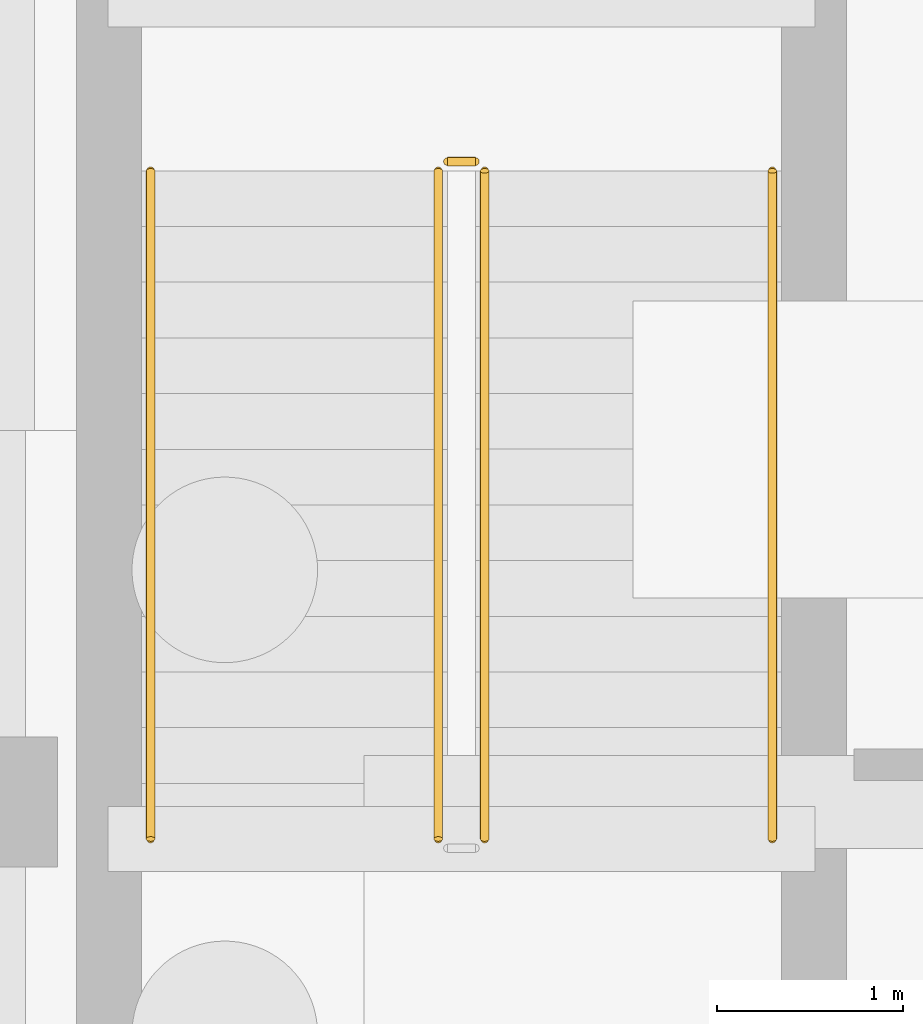
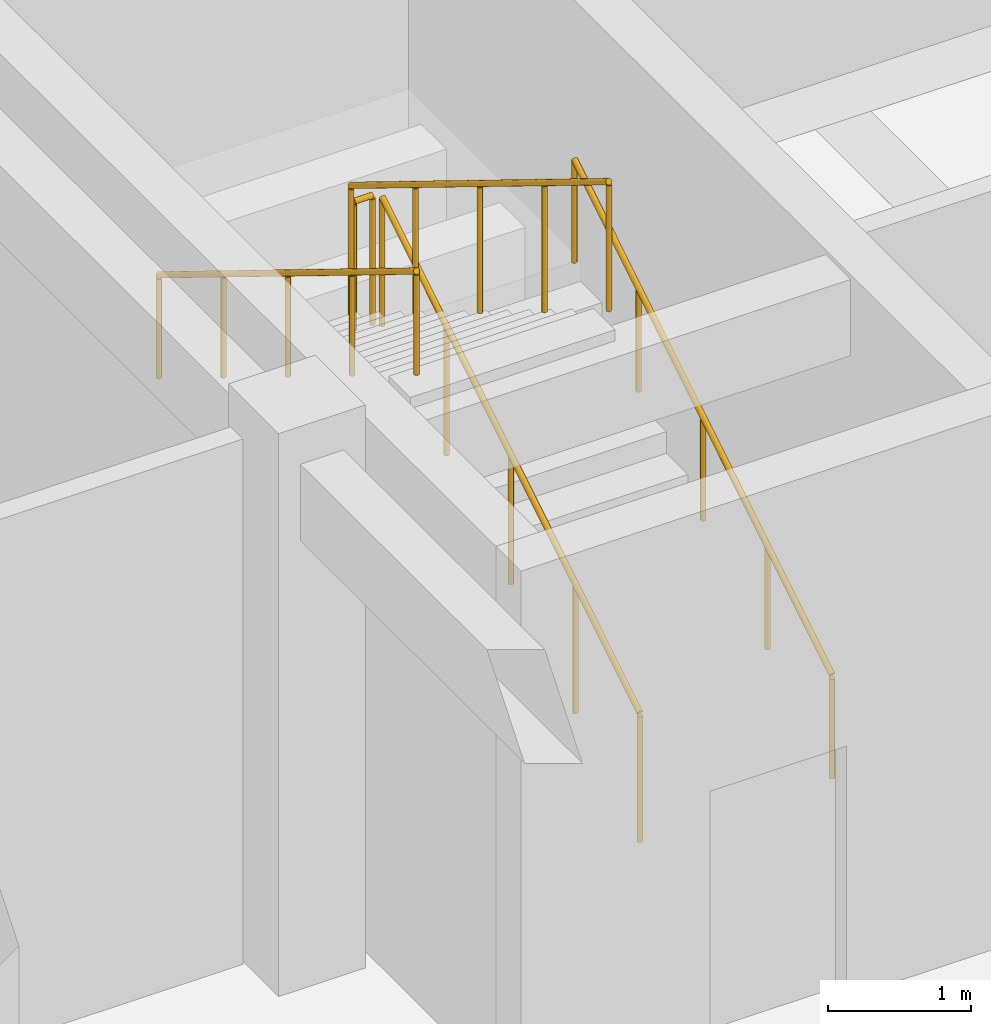
# One storey, part 43 of 46: 5 railings.
"""IFC4 building model written with IfcOpenShell, lengths in metres."""

from ifc_helpers import new_model, si_unit, direction, frame, origin, origin_2d, place, context, subcontext, project, spatial, circle, extrude, material, material_profile, profile_set, type_object, element, save


model = new_model("IFC4")

# Units and contexts
model_context = context("Model", 3, precision=1e-05, world=origin(), true_north=direction((0.0, 1.0)))
body_context = subcontext(model_context, "Body", "Model", "MODEL_VIEW")
ifc_project = project(units=[si_unit("LENGTHUNIT", "METRE"), si_unit("AREAUNIT", "SQUARE_METRE"), si_unit("VOLUMEUNIT", "CUBIC_METRE"), si_unit("PLANEANGLEUNIT", "RADIAN"), si_unit("MASSUNIT", "GRAM", prefix="KILO")], contexts=[model_context])

# Site, building, storey
site_placement = place(None, origin())
site = spatial("IfcSite", under=ifc_project, at=site_placement, CompositionType="ELEMENT")
building_placement = place(site_placement, origin())
building = spatial("IfcBuilding", under=site, at=building_placement, Name="Tazoul Stagehouse", CompositionType="ELEMENT")
storey_placement = place(building_placement, frame((0.0, 0.0, -4.800048828125)))
storey = spatial("IfcBuildingStorey", under=building, at=storey_placement, Name="B1", CompositionType="ELEMENT", Elevation=-4.800048828125)

# Railings
ifc_material = material(Name="Brushed Stainless Steel 316L", Category="steel")
ifc_material_profile_1 = material_profile(ifc_material, circle(Radius=0.02392578125, at=origin_2d()), Name="SS RAIL D48")
ifc_profile_set_1 = profile_set([ifc_material_profile_1], Name="Brushed Stainless Steel 316L")
railing_type_1 = type_object("IfcRailingType", Name="Architectural Guardrail H1120", PredefinedType="GUARDRAIL", material=ifc_profile_set_1)
railing_1_placement = place(storey_placement, frame((128.050048828125, 103.800048828125, 0.1845703125)))
element("IfcRailing", 1, at=railing_1_placement, inside=storey, type_object=railing_type_1, Name="B1 ST-B2 stair guard 1", PredefinedType="GUARDRAIL", context=body_context, shape_type="SweptSolid", body=[
    extrude(circle(Radius=0.02392578125, at=origin_2d()), frame((0.0, 0.0, 1.09619140625), z_axis=(0.0, 0.851628569182, 0.524145762315), x_axis=(-1.0, 0.0, 0.0)), (0.0, 0.0, 1.0), 4.22705078125),
    extrude(circle(Radius=0.02099609375, at=origin_2d()), origin(), (0.0, 0.0, 1.0), 1.072021484375),
    extrude(circle(Radius=0.02099609375, at=origin_2d()), frame((0.0, 0.89990234375, 0.553955078125)), (0.0, 0.0, 1.0), 1.072021484375),
    extrude(circle(Radius=0.02099609375, at=origin_2d()), frame((0.0, 1.7998046875, 1.10791015625)), (0.0, 0.0, 1.0), 1.072021484375),
    extrude(circle(Radius=0.02099609375, at=origin_2d()), frame((0.0, 2.699951171875, 1.66162109375)), (0.0, 0.0, 1.0), 1.072021484375),
    extrude(circle(Radius=0.02099609375, at=origin_2d()), frame((0.0, 3.599853515625, 2.215576171875)), (0.0, 0.0, 1.0), 1.072021484375),
])
railing_2_placement = place(storey_placement, frame((128.0, 107.449951171875, 2.400146484375)))
element("IfcRailing", 2, at=railing_2_placement, inside=storey, type_object=railing_type_1, Name="B1 ST-B2 stair guard 2", PredefinedType="GUARDRAIL", context=body_context, shape_type="SweptSolid", body=[
    extrude(circle(Radius=0.02392578125, at=origin_2d()), frame((0.0, 0.0, 1.09619140625), z_axis=(-1.0, 0.0, 0.0), x_axis=(0.0, -1.0, 0.0)), (0.0, 0.0, 1.0), 0.14990234375),
    extrude(circle(Radius=0.02099609375, at=origin_2d()), origin(), (0.0, 0.0, 1.0), 1.072021484375),
    extrude(circle(Radius=0.02099609375, at=origin_2d()), frame((-0.14990234375, 0.0, 0.0)), (0.0, 0.0, 1.0), 1.072021484375),
])
railing_3_placement = place(storey_placement, frame((127.800048828125, 107.39990234375, 2.584716796875)))
element("IfcRailing", 3, at=railing_3_placement, inside=storey, type_object=railing_type_1, Name="B1 ST-B2 stair guard 3", PredefinedType="GUARDRAIL", context=body_context, shape_type="SweptSolid", body=[
    extrude(circle(Radius=0.02392578125, at=origin_2d()), frame((0.0, 0.0, 1.09619140625), z_axis=(0.0, -0.851654350407, 0.524103870844), x_axis=(1.0, 0.0, 0.0)), (0.0, 0.0, 1.0), 4.226806640625),
    extrude(circle(Radius=0.02099609375, at=origin_2d()), origin(), (0.0, 0.0, 1.0), 1.072021484375),
    extrude(circle(Radius=0.02099609375, at=origin_2d()), frame((0.0, -0.89990234375, 0.5537109375)), (0.0, 0.0, 1.0), 1.072021484375),
    extrude(circle(Radius=0.02099609375, at=origin_2d()), frame((0.0, -1.7998046875, 1.107666015625)), (0.0, 0.0, 1.0), 1.072021484375),
    extrude(circle(Radius=0.02099609375, at=origin_2d()), frame((0.0, -2.699951171875, 1.66162109375)), (0.0, 0.0, 1.0), 1.072021484375),
    extrude(circle(Radius=0.02099609375, at=origin_2d()), frame((0.0, -3.599853515625, 2.21533203125)), (0.0, 0.0, 1.0), 1.072021484375),
])
ifc_material_profile_2 = material_profile(ifc_material, circle(Radius=0.02099609375, at=origin_2d()), Name="SS HANDRAIL D42")
ifc_profile_set_2 = profile_set([ifc_material_profile_2], Name="Brushed Stainless Steel 316L")
railing_type_2 = type_object("IfcRailingType", Name="Continuous Stair Handrail H900", PredefinedType="HANDRAIL", material=ifc_profile_set_2)
railing_4_placement = place(storey_placement, frame((129.60009765625, 103.800048828125, 0.1845703125)))
element("IfcRailing", 4, at=railing_4_placement, inside=storey, type_object=railing_type_2, Name="B1 ST-B2 stair handrail 1", PredefinedType="HANDRAIL", context=body_context, shape_type="SweptSolid", body=[
    extrude(circle(Radius=0.02392578125, at=origin_2d()), frame((0.0, 0.0, 0.8759765625), z_axis=(0.0, 0.851628569182, 0.524145762315), x_axis=(-1.0, 0.0, 0.0)), (0.0, 0.0, 1.0), 4.22705078125),
    extrude(circle(Radius=0.02099609375, at=origin_2d()), origin(), (0.0, 0.0, 1.0), 0.851806640625),
    extrude(circle(Radius=0.02099609375, at=origin_2d()), frame((0.0, 0.89990234375, 0.553955078125)), (0.0, 0.0, 1.0), 0.851806640625),
    extrude(circle(Radius=0.02099609375, at=origin_2d()), frame((0.0, 1.7998046875, 1.10791015625)), (0.0, 0.0, 1.0), 0.851806640625),
    extrude(circle(Radius=0.02099609375, at=origin_2d()), frame((0.0, 2.699951171875, 1.66162109375)), (0.0, 0.0, 1.0), 0.851806640625),
    extrude(circle(Radius=0.02099609375, at=origin_2d()), frame((0.0, 3.599853515625, 2.215576171875)), (0.0, 0.0, 1.0), 0.851806640625),
])
railing_5_placement = place(storey_placement, frame((126.25, 107.39990234375, 2.584716796875)))
element("IfcRailing", 5, at=railing_5_placement, inside=storey, type_object=railing_type_2, Name="B1 ST-B2 stair handrail 2", PredefinedType="HANDRAIL", context=body_context, shape_type="SweptSolid", body=[
    extrude(circle(Radius=0.02392578125, at=origin_2d()), frame((0.0, 0.0, 0.8759765625), z_axis=(0.0, -0.851654350407, 0.524103870844), x_axis=(1.0, 0.0, 0.0)), (0.0, 0.0, 1.0), 4.226806640625),
    extrude(circle(Radius=0.02099609375, at=origin_2d()), origin(), (0.0, 0.0, 1.0), 0.851806640625),
    extrude(circle(Radius=0.02099609375, at=origin_2d()), frame((0.0, -0.89990234375, 0.5537109375)), (0.0, 0.0, 1.0), 0.851806640625),
    extrude(circle(Radius=0.02099609375, at=origin_2d()), frame((0.0, -1.7998046875, 1.107666015625)), (0.0, 0.0, 1.0), 0.851806640625),
    extrude(circle(Radius=0.02099609375, at=origin_2d()), frame((0.0, -2.699951171875, 1.66162109375)), (0.0, 0.0, 1.0), 0.851806640625),
    extrude(circle(Radius=0.02099609375, at=origin_2d()), frame((0.0, -3.599853515625, 2.21533203125)), (0.0, 0.0, 1.0), 0.851806640625),
])

save(model, "model.ifc")
